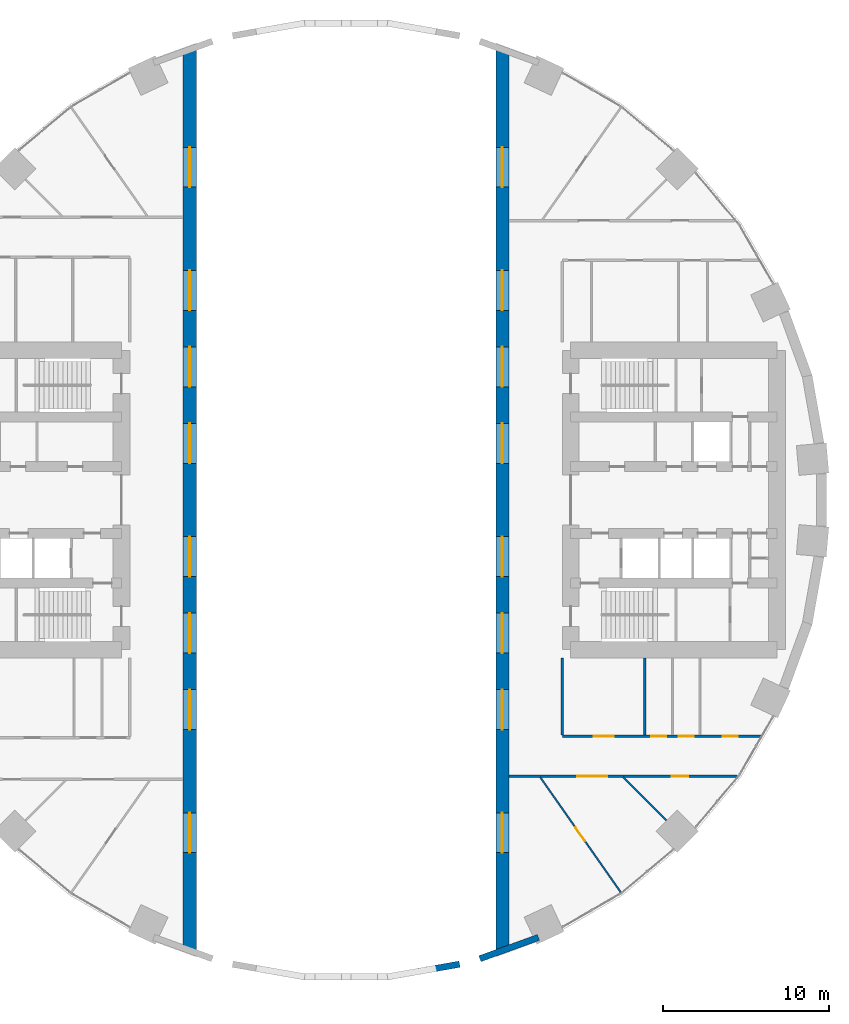
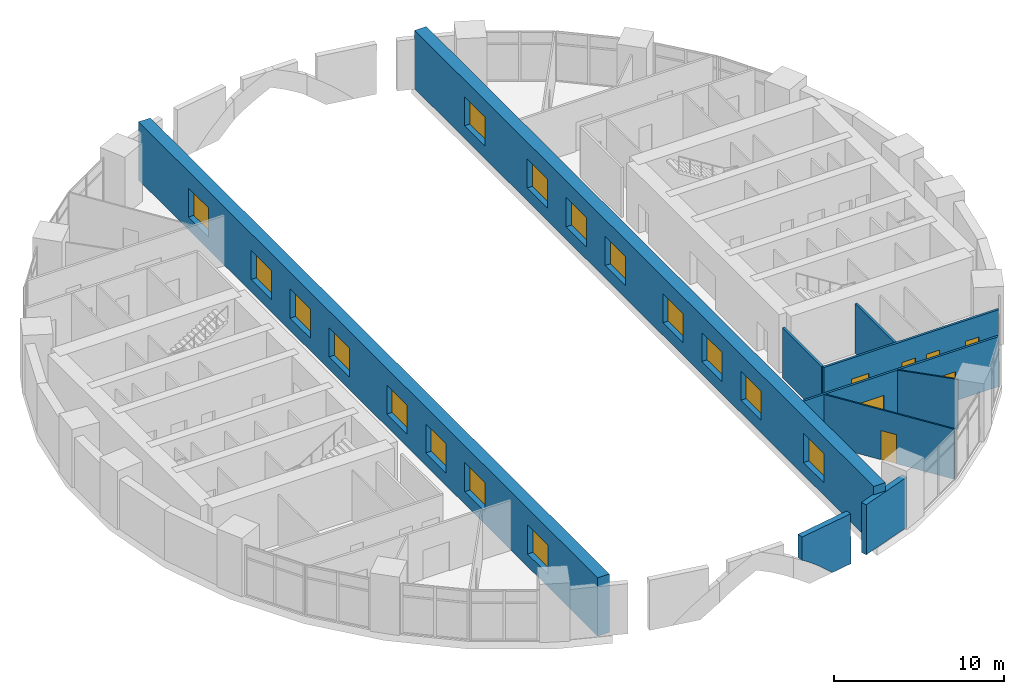
# One storey, part 11 of 15: 16 windows, 10 walls, 7 doors, 23 openings.
"""IFC4 building model written with IfcOpenShell, lengths in metres."""

from ifc_helpers import new_model, si_unit, direction, frame, frame_2d, origin, place, context, subcontext, project, spatial, polyline, rectangle, outline, extrude, material, layer, layer_set, type_object, element, fill, save


model = new_model("IFC4")

# Units and contexts
model_context = context("Model", 3, precision=1e-05, world=origin(), true_north=direction((0.0, 1.0)))
body_context = subcontext(model_context, "Body", "Model", "MODEL_VIEW")
ifc_project = project(units=[si_unit("LENGTHUNIT", "METRE"), si_unit("AREAUNIT", "SQUARE_METRE"), si_unit("VOLUMEUNIT", "CUBIC_METRE"), si_unit("PLANEANGLEUNIT", "RADIAN"), si_unit("MASSUNIT", "GRAM", prefix="KILO")], contexts=[model_context])

# Site, building, storey
site_placement = place(None, origin())
site = spatial("IfcSite", under=ifc_project, at=site_placement, CompositionType="ELEMENT")
building_placement = place(site_placement, origin())
building = spatial("IfcBuilding", under=site, at=building_placement, Name="Saqina Gate Tower", CompositionType="ELEMENT")
storey_placement = place(building_placement, frame((0.0, 0.0, 17.60009765625)))
storey = spatial("IfcBuildingStorey", under=building, at=storey_placement, Name="L04", CompositionType="ELEMENT", Elevation=17.60009765625)

# Walls
ifc_material_1 = material(Name="Glazed ceramic tile", Category="ceramic")
ifc_layer_1 = layer(ifc_material_1, 0.3798828125)
ifc_layer_set_1 = layer_set([ifc_layer_1], Name="FW-ARCH")
wall_type_1 = type_object("IfcWallType", Name="FW-ARCH", PredefinedType="SOLIDWALL", material=ifc_layer_set_1)
wall_1_placement = place(storey_placement, frame((3.1650390625, -28.734130859375, 3.599853515625), z_axis=(0.173670912749, -0.984801696632, 0.002008077513), x_axis=(0.984803682197, 0.173671262823, -4.0372e-08)))
element("IfcWall", 1, at=wall_1_placement, inside=storey, type_object=wall_type_1, Name="Arch frame wall L04 facet 28", PredefinedType="SOLIDWALL", context=body_context, shape_type="SweptSolid", body=[
    extrude(outline(polyline([(0.0, 0.0), (3.745379461620621, 0.0), (3.7453521537777634, -3.5998606846475094), (2.312697979892233, -3.5998606781283002), (2.1808456826695775, -3.4604562723167), (1.3010713377386536, -2.654058047193629), (0.36522127422020917, -1.9118692318878163), (-0.0001126746733170708, -1.6621129534081556), (0.0, 0.0)])), origin(), (0.0, 0.0, -1.0), 0.3798828125),
])
wall_2_placement = place(storey_placement, frame((8.109130859375, -27.7548828125, 0.0), z_axis=(0.342019725657, -0.939690559381, 0.002039576307), x_axis=(-0.000746014046, 0.001898944844, 0.999997918734)))
element("IfcWall", 2, at=wall_2_placement, inside=storey, type_object=wall_type_1, Name="Arch frame wall L04 facet 29", PredefinedType="SOLIDWALL", context=body_context, shape_type="SweptSolid", body=[
    extrude(outline(polyline([(0.0, 0.0), (3.5998610078947766, -1.0842021724855044e-19), (3.599667947619239, -3.745407346899316), (-0.00019306027553755208, -3.7454073468993156), (0.0, 0.0)])), origin(), (0.0, 0.0, -1.0), 0.3798828125),
])

# Wall, opening, door
ifc_material_2 = material(Name="Gypsum board on steel studs, 100 mm", Category="steel")
ifc_layer_2 = layer(ifc_material_2, 0.10009765625)
ifc_layer_set_2 = layer_set([ifc_layer_2], Name="SPECIAL PARTITION 100")
wall_type_2 = type_object("IfcWallType", Name="SPECIAL PARTITION 100", PredefinedType="PARTITIONING", material=ifc_layer_set_2)
wall_3_placement = place(storey_placement, frame((11.666015625, -16.661376953125, 0.0), z_axis=(0.0, 0.0, 1.0), x_axis=(0.573640514793, -0.819107172346, 0.0)))
wall_3 = element("IfcWall", 3, at=wall_3_placement, inside=storey, type_object=wall_type_2, Name="PARTITION 002", PredefinedType="PARTITIONING", context=body_context, shape_type="SweptSolid", body=[
    extrude(rectangle(XDim=8.4599609375, YDim=0.10009765625, at=frame_2d((4.22998046875, 0.0))), origin(), (0.0, 0.0, 1.0), 3.599853515625),
])
opening_1_placement = place(wall_3_placement, frame((3.6923828125, 0.0, 0.0)))
opening_1 = element("IfcOpeningElement", 4, at=opening_1_placement, cuts=wall_3, Name="Opening L04-D22", PredefinedType="OPENING", context=body_context, shape_type="SweptSolid", body=[
    extrude(rectangle(XDim=1.0, YDim=2.10009765625, at=frame_2d((0.5, 1.050048828125))), frame((0.0, 0.06201171875, 0.0), z_axis=(0.0, -1.0, 0.0), x_axis=(1.0, 0.0, 0.0)), (0.0, 0.0, 1.0), 0.1240234375),
])
ifc_material_3 = material(Name="Timber door leaf", Category="wood")
door_type_1 = type_object("IfcDoorType", Name="SPECIAL DOOR 1000 TIMBER", OperationType="SINGLE_SWING_LEFT", PredefinedType="DOOR", material=ifc_material_3)
door_1_placement = place(opening_1_placement, frame((1.0, 0.0, 0.0), z_axis=(0.0, 0.0, 1.0), x_axis=(-1.0, 0.0, 0.0)))
door_1 = element("IfcDoor", 5, at=door_1_placement, inside=storey, type_object=door_type_1, Name="DOOR L04-D22", OperationType="SINGLE_SWING_RIGHT", OverallHeight=2.10009765625, OverallWidth=1.0, PredefinedType="DOOR", context=body_context, shape_type="SweptSolid", body=[
    extrude(rectangle(XDim=1.0, YDim=2.10009765625, at=frame_2d((0.5, 1.050048828125))), frame((0.0, 0.02490234375, 0.0), z_axis=(0.0, -1.0, 0.0), x_axis=(1.0, 0.0, 0.0)), (0.0, 0.0, 1.0), 0.050048828125),
])
fill(opening_1, door_1)

# Wall
wall_4_placement = place(storey_placement, frame((16.653076171875, -16.653076171875, 0.0), z_axis=(0.0, 0.0, 1.0), x_axis=(0.707272213363, -0.706941310297, 0.0)))
element("IfcWall", 6, at=wall_4_placement, inside=storey, type_object=wall_type_2, Name="PARTITION 004", PredefinedType="PARTITIONING", context=body_context, shape_type="SweptSolid", body=[
    extrude(rectangle(XDim=3.68896484375, YDim=0.10009765625, at=frame_2d((1.844482421875, 0.0))), origin(), (0.0, 0.0, 1.0), 3.599853515625),
])

# Wall, openings, doors
ifc_material_4 = material(Name="Gypsum board on steel studs, 150 mm, fire rated", Category="steel")
ifc_layer_3 = layer(ifc_material_4, 0.14990234375)
ifc_layer_set_3 = layer_set([ifc_layer_3], Name="SPECIAL PARTITION EI 30 150")
wall_type_3 = type_object("IfcWallType", Name="SPECIAL PARTITION EI 30 150", PredefinedType="PARTITIONING", material=ifc_layer_set_3)
wall_5_placement = place(storey_placement, frame((9.800048828125, -16.60009765625, 0.0), z_axis=(0.0, 0.0, 1.0), x_axis=(1.0, 0.0, 0.0)))
wall_5 = element("IfcWall", 7, at=wall_5_placement, inside=storey, type_object=wall_type_3, Name="PARTITION 006", PredefinedType="PARTITIONING", context=body_context, shape_type="SweptSolid", body=[
    extrude(rectangle(XDim=13.722900390625, YDim=0.14990234375, at=frame_2d((6.861328125, 0.0))), origin(), (0.0, 0.0, 1.0), 3.599853515625),
])
opening_2_placement = place(wall_5_placement, frame((4.097900390625, 0.0, 0.0)))
opening_2 = element("IfcOpeningElement", 8, at=opening_2_placement, cuts=wall_5, Name="Opening L04-D23", PredefinedType="OPENING", context=body_context, shape_type="SweptSolid", body=[
    extrude(rectangle(XDim=1.800048828125, YDim=2.10009765625, at=frame_2d((0.89990234375, 1.050048828125))), frame((0.0, 0.0869140625, 0.0), z_axis=(0.0, -1.0, 0.0), x_axis=(1.0, 0.0, 0.0)), (0.0, 0.0, 1.0), 0.173828125),
])
opening_3_placement = place(wall_5_placement, frame((9.761474609375, 0.0, 0.0)))
opening_3 = element("IfcOpeningElement", 9, at=opening_3_placement, cuts=wall_5, Name="Opening L04-D25", PredefinedType="OPENING", context=body_context, shape_type="SweptSolid", body=[
    extrude(rectangle(XDim=1.0, YDim=2.10009765625, at=frame_2d((0.5, 1.050048828125))), frame((0.0, 0.0869140625, 0.0), z_axis=(0.0, -1.0, 0.0), x_axis=(1.0, 0.0, 0.0)), (0.0, 0.0, 1.0), 0.173828125),
])
ifc_material_5 = material(Name="Steel-framed fire door leaf, EI 30", Category="steel")
door_type_2 = type_object("IfcDoorType", Name="SPECIAL DOOR 1000 FIRE EI 30", OperationType="SINGLE_SWING_LEFT", PredefinedType="DOOR", material=ifc_material_5)
door_2_placement = place(opening_3_placement, frame((1.0, 0.0, 0.0), z_axis=(0.0, 0.0, 1.0), x_axis=(-1.0, 0.0, 0.0)))
door_2 = element("IfcDoor", 10, at=door_2_placement, inside=storey, type_object=door_type_2, Name="DOOR L04-D25", OperationType="SINGLE_SWING_LEFT", OverallHeight=2.10009765625, OverallWidth=1.0, PredefinedType="DOOR", context=body_context, shape_type="SweptSolid", body=[
    extrude(rectangle(XDim=1.0, YDim=2.10009765625, at=frame_2d((0.5, 1.050048828125))), frame((0.0, 0.02490234375, 0.0), z_axis=(0.0, -1.0, 0.0), x_axis=(1.0, 0.0, 0.0)), (0.0, 0.0, 1.0), 0.050048828125),
])
fill(opening_3, door_2)
ifc_material_6 = material(Name="Steel-framed fire door leaf, EI 30", Category="steel")
door_type_3 = type_object("IfcDoorType", Name="SPECIAL DOUBLE DOOR 1800 FIRE EI 30", OperationType="DOUBLE_DOOR_SINGLE_SWING", PredefinedType="DOOR", material=ifc_material_6)
door_3_placement = place(opening_2_placement, frame((1.800048828125, 0.0, 0.0), z_axis=(0.0, 0.0, 1.0), x_axis=(-1.0, 0.0, 0.0)))
door_3 = element("IfcDoor", 11, at=door_3_placement, inside=storey, type_object=door_type_3, Name="DOOR L04-D23", OperationType="DOUBLE_DOOR_SINGLE_SWING", OverallHeight=2.10009765625, OverallWidth=1.800048828125, PredefinedType="DOOR", context=body_context, shape_type="SweptSolid", body=[
    extrude(rectangle(XDim=1.800048828125, YDim=2.10009765625, at=frame_2d((0.89990234375, 1.050048828125))), frame((0.0, 0.02490234375, 0.0), z_axis=(0.0, -1.0, 0.0), x_axis=(1.0, 0.0, 0.0)), (0.0, 0.0, 1.0), 0.050048828125),
])
fill(opening_2, door_3)

ifc_material_7 = material(Name="Masonry block and plaster, 150 mm, fire rated", Category="masonry")
ifc_layer_4 = layer(ifc_material_7, 0.14990234375)
ifc_layer_set_4 = layer_set([ifc_layer_4], Name="SPECIAL PARTITION EI 60 150")
wall_type_4 = type_object("IfcWallType", Name="SPECIAL PARTITION EI 60 150", PredefinedType="PARTITIONING", material=ifc_layer_set_4)
wall_6_placement = place(storey_placement, frame((13.0, -14.199951171875, 0.0), z_axis=(0.0, 0.0, 1.0), x_axis=(1.0, 0.0, 0.0)))
wall_6 = element("IfcWall", 12, at=wall_6_placement, inside=storey, type_object=wall_type_4, Name="PARTITION 008", PredefinedType="PARTITIONING", context=body_context, shape_type="SweptSolid", body=[
    extrude(rectangle(XDim=11.928955078125, YDim=0.14990234375, at=frame_2d((5.96435546875, 0.0))), origin(), (0.0, 0.0, 1.0), 3.599853515625),
])
opening_4_placement = place(wall_6_placement, frame((1.87939453125, 0.0, 0.0)))
opening_4 = element("IfcOpeningElement", 13, at=opening_4_placement, cuts=wall_6, Name="Opening L04-D24", PredefinedType="OPENING", context=body_context, shape_type="SweptSolid", body=[
    extrude(rectangle(XDim=1.199951171875, YDim=2.10009765625, at=frame_2d((0.60009765625, 1.050048828125))), frame((0.0, 0.0869140625, 0.0), z_axis=(0.0, -1.0, 0.0), x_axis=(1.0, 0.0, 0.0)), (0.0, 0.0, 1.0), 0.173828125),
])
opening_5_placement = place(wall_6_placement, frame((5.3349609375, 0.0, 0.0)))
opening_5 = element("IfcOpeningElement", 14, at=opening_5_placement, cuts=wall_6, Name="Opening L04-D26", PredefinedType="OPENING", context=body_context, shape_type="SweptSolid", body=[
    extrude(rectangle(XDim=0.89990234375, YDim=2.10009765625, at=frame_2d((0.449951171875, 1.050048828125))), frame((0.0, 0.0869140625, 0.0), z_axis=(0.0, -1.0, 0.0), x_axis=(1.0, 0.0, 0.0)), (0.0, 0.0, 1.0), 0.173828125),
])
opening_6_placement = place(wall_6_placement, frame((6.987548828125, 0.0, 0.0)))
opening_6 = element("IfcOpeningElement", 15, at=opening_6_placement, cuts=wall_6, Name="Opening L04-D27", PredefinedType="OPENING", context=body_context, shape_type="SweptSolid", body=[
    extrude(rectangle(XDim=0.89990234375, YDim=2.10009765625, at=frame_2d((0.449951171875, 1.050048828125))), frame((0.0, 0.0869140625, 0.0), z_axis=(0.0, -1.0, 0.0), x_axis=(1.0, 0.0, 0.0)), (0.0, 0.0, 1.0), 0.173828125),
])
opening_7_placement = place(wall_6_placement, frame((9.646484375, 0.0, 0.0)))
opening_7 = element("IfcOpeningElement", 16, at=opening_7_placement, cuts=wall_6, Name="Opening L04-D28", PredefinedType="OPENING", context=body_context, shape_type="SweptSolid", body=[
    extrude(rectangle(XDim=0.89990234375, YDim=2.10009765625, at=frame_2d((0.449951171875, 1.050048828125))), frame((0.0, 0.0869140625, 0.0), z_axis=(0.0, -1.0, 0.0), x_axis=(1.0, 0.0, 0.0)), (0.0, 0.0, 1.0), 0.173828125),
])
ifc_material_8 = material(Name="Steel-framed fire door leaf, EI 60", Category="steel")
door_type_4 = type_object("IfcDoorType", Name="SPECIAL DOOR 1200 FIRE EI 60", OperationType="SINGLE_SWING_LEFT", PredefinedType="DOOR", material=ifc_material_8)
door_4_placement = place(opening_4_placement, origin())
door_4 = element("IfcDoor", 17, at=door_4_placement, inside=storey, type_object=door_type_4, Name="DOOR L04-D24", OperationType="SINGLE_SWING_LEFT", OverallHeight=2.10009765625, OverallWidth=1.199951171875, PredefinedType="DOOR", context=body_context, shape_type="SweptSolid", body=[
    extrude(rectangle(XDim=1.199951171875, YDim=2.10009765625, at=frame_2d((0.60009765625, 1.050048828125))), frame((0.0, 0.02490234375, 0.0), z_axis=(0.0, -1.0, 0.0), x_axis=(1.0, 0.0, 0.0)), (0.0, 0.0, 1.0), 0.050048828125),
])
fill(opening_4, door_4)
ifc_material_9 = material(Name="Steel-framed fire door leaf, EI 60", Category="steel")
door_type_5 = type_object("IfcDoorType", Name="SPECIAL DOOR 900 FIRE EI 60", OperationType="SINGLE_SWING_LEFT", PredefinedType="DOOR", material=ifc_material_9)
door_5_placement = place(opening_5_placement, origin())
door_5 = element("IfcDoor", 18, at=door_5_placement, inside=storey, type_object=door_type_5, Name="DOOR L04-D26", OperationType="SINGLE_SWING_LEFT", OverallHeight=2.10009765625, OverallWidth=0.89990234375, PredefinedType="DOOR", context=body_context, shape_type="SweptSolid", body=[
    extrude(rectangle(XDim=0.89990234375, YDim=2.10009765625, at=frame_2d((0.449951171875, 1.050048828125))), frame((0.0, 0.02490234375, 0.0), z_axis=(0.0, -1.0, 0.0), x_axis=(1.0, 0.0, 0.0)), (0.0, 0.0, 1.0), 0.050048828125),
])
fill(opening_5, door_5)
door_6_placement = place(opening_6_placement, origin())
door_6 = element("IfcDoor", 19, at=door_6_placement, inside=storey, type_object=door_type_5, Name="DOOR L04-D27", OperationType="SINGLE_SWING_RIGHT", OverallHeight=2.10009765625, OverallWidth=0.89990234375, PredefinedType="DOOR", context=body_context, shape_type="SweptSolid", body=[
    extrude(rectangle(XDim=0.89990234375, YDim=2.10009765625, at=frame_2d((0.449951171875, 1.050048828125))), frame((0.0, 0.02490234375, 0.0), z_axis=(0.0, -1.0, 0.0), x_axis=(1.0, 0.0, 0.0)), (0.0, 0.0, 1.0), 0.050048828125),
])
fill(opening_6, door_6)
door_7_placement = place(opening_7_placement, origin())
door_7 = element("IfcDoor", 20, at=door_7_placement, inside=storey, type_object=door_type_5, Name="DOOR L04-D28", OperationType="SINGLE_SWING_RIGHT", OverallHeight=2.10009765625, OverallWidth=0.89990234375, PredefinedType="DOOR", context=body_context, shape_type="SweptSolid", body=[
    extrude(rectangle(XDim=0.89990234375, YDim=2.10009765625, at=frame_2d((0.449951171875, 1.050048828125))), frame((0.0, 0.02490234375, 0.0), z_axis=(0.0, -1.0, 0.0), x_axis=(1.0, 0.0, 0.0)), (0.0, 0.0, 1.0), 0.050048828125),
])
fill(opening_7, door_7)

# Walls
for number, where, z_axis, x_axis, name in (
    (21, (17.958984375, -14.125, 0.0), (0.0, 0.0, 1.0), (0.0, 1.0, 0.0), "PARTITION 021"),
    (22, (13.0, -14.125, 0.0), (0.0, 0.0, 1.0), (0.0, 1.0, 0.0), "PARTITION 023"),
):
    element("IfcWall", number, at=place(storey_placement, frame(where, z_axis=z_axis, x_axis=x_axis)), inside=storey, type_object=wall_type_4, Name=name, PredefinedType="PARTITIONING", context=body_context, shape_type="SweptSolid", body=[
        extrude(rectangle(XDim=4.625, YDim=0.14990234375, at=frame_2d((2.3125, 0.0))), origin(), (0.0, 0.0, 1.0), 3.599853515625),
    ])

# Wall, openings, windows
ifc_material_10 = material(Name="Concrete C70/85", Category="concrete")
ifc_layer_5 = layer(ifc_material_10, 0.800048828125)
ifc_layer_set_5 = layer_set([ifc_layer_5], Name="Concrete C70/85")
wall_type_5 = type_object("IfcWallType", Name="STR-PIER-PASSAGE", PredefinedType="SHEAR", material=ifc_layer_set_5)
wall_7_placement = place(storey_placement, frame((9.39990234375, -27.076904296875, 0.0), z_axis=(0.0, 0.0, 1.0), x_axis=(0.0, 1.0, 0.0)))
wall_7 = element("IfcWall", 23, at=wall_7_placement, inside=storey, type_object=wall_type_5, Name="L04-FLKE", PredefinedType="SHEAR", context=body_context, shape_type="SweptSolid", body=[
    extrude(rectangle(XDim=54.15380859375, YDim=0.800048828125, at=frame_2d((27.076904296875, 0.0))), origin(), (0.0, 0.0, 1.0), 4.199951171875),
])
opening_8_placement = place(wall_7_placement, frame((13.27685546875, 0.0, 0.89990234375)))
opening_8 = element("IfcOpeningElement", 24, at=opening_8_placement, cuts=wall_7, Name="Opening L04-W50", PredefinedType="OPENING", context=body_context, shape_type="SweptSolid", body=[
    extrude(rectangle(XDim=2.39990234375, YDim=2.10009765625, at=frame_2d((1.199951171875, 1.050048828125))), frame((0.0, 0.412109375, 0.0), z_axis=(0.0, -1.0, 0.0), x_axis=(1.0, 0.0, 0.0)), (0.0, 0.0, 1.0), 0.823974609375),
])
opening_9_placement = place(wall_7_placement, frame((17.876708984375, 0.0, 0.89990234375)))
opening_9 = element("IfcOpeningElement", 25, at=opening_9_placement, cuts=wall_7, Name="Opening L04-W51", PredefinedType="OPENING", context=body_context, shape_type="SweptSolid", body=[
    extrude(rectangle(XDim=2.39990234375, YDim=2.10009765625, at=frame_2d((1.199951171875, 1.050048828125))), frame((0.0, 0.412109375, 0.0), z_axis=(0.0, -1.0, 0.0), x_axis=(1.0, 0.0, 0.0)), (0.0, 0.0, 1.0), 0.823974609375),
])
opening_10_placement = place(wall_7_placement, frame((22.476806640625, 0.0, 0.89990234375)))
opening_10 = element("IfcOpeningElement", 26, at=opening_10_placement, cuts=wall_7, Name="Opening L04-W52", PredefinedType="OPENING", context=body_context, shape_type="SweptSolid", body=[
    extrude(rectangle(XDim=2.39990234375, YDim=2.10009765625, at=frame_2d((1.199951171875, 1.050048828125))), frame((0.0, 0.412109375, 0.0), z_axis=(0.0, -1.0, 0.0), x_axis=(1.0, 0.0, 0.0)), (0.0, 0.0, 1.0), 0.823974609375),
])
opening_11_placement = place(wall_7_placement, frame((29.27685546875, 0.0, 0.89990234375)))
opening_11 = element("IfcOpeningElement", 27, at=opening_11_placement, cuts=wall_7, Name="Opening L04-W53", PredefinedType="OPENING", context=body_context, shape_type="SweptSolid", body=[
    extrude(rectangle(XDim=2.39990234375, YDim=2.10009765625, at=frame_2d((1.199951171875, 1.050048828125))), frame((0.0, 0.412109375, 0.0), z_axis=(0.0, -1.0, 0.0), x_axis=(1.0, 0.0, 0.0)), (0.0, 0.0, 1.0), 0.823974609375),
])
opening_12_placement = place(wall_7_placement, frame((33.876708984375, 0.0, 0.89990234375)))
opening_12 = element("IfcOpeningElement", 28, at=opening_12_placement, cuts=wall_7, Name="Opening L04-W54", PredefinedType="OPENING", context=body_context, shape_type="SweptSolid", body=[
    extrude(rectangle(XDim=2.39990234375, YDim=2.10009765625, at=frame_2d((1.199951171875, 1.050048828125))), frame((0.0, 0.412109375, 0.0), z_axis=(0.0, -1.0, 0.0), x_axis=(1.0, 0.0, 0.0)), (0.0, 0.0, 1.0), 0.823974609375),
])
opening_13_placement = place(wall_7_placement, frame((38.476806640625, 0.0, 0.89990234375)))
opening_13 = element("IfcOpeningElement", 29, at=opening_13_placement, cuts=wall_7, Name="Opening L04-W55", PredefinedType="OPENING", context=body_context, shape_type="SweptSolid", body=[
    extrude(rectangle(XDim=2.39990234375, YDim=2.10009765625, at=frame_2d((1.199951171875, 1.050048828125))), frame((0.0, 0.412109375, 0.0), z_axis=(0.0, -1.0, 0.0), x_axis=(1.0, 0.0, 0.0)), (0.0, 0.0, 1.0), 0.823974609375),
])
opening_14_placement = place(wall_7_placement, frame((5.876708984375, 0.0, 0.89990234375)))
opening_14 = element("IfcOpeningElement", 30, at=opening_14_placement, cuts=wall_7, Name="Opening L04-W56", PredefinedType="OPENING", context=body_context, shape_type="SweptSolid", body=[
    extrude(rectangle(XDim=2.39990234375, YDim=2.10009765625, at=frame_2d((1.199951171875, 1.050048828125))), frame((0.0, 0.412109375, 0.0), z_axis=(0.0, -1.0, 0.0), x_axis=(1.0, 0.0, 0.0)), (0.0, 0.0, 1.0), 0.823974609375),
])
opening_15_placement = place(wall_7_placement, frame((45.876708984375, 0.0, 0.89990234375)))
opening_15 = element("IfcOpeningElement", 31, at=opening_15_placement, cuts=wall_7, Name="Opening L04-W57", PredefinedType="OPENING", context=body_context, shape_type="SweptSolid", body=[
    extrude(rectangle(XDim=2.39990234375, YDim=2.10009765625, at=frame_2d((1.199951171875, 1.050048828125))), frame((0.0, 0.412109375, 0.0), z_axis=(0.0, -1.0, 0.0), x_axis=(1.0, 0.0, 0.0)), (0.0, 0.0, 1.0), 0.823974609375),
])
ifc_material_11 = material(Name="Double glazed unit in aluminium frame", Category="aluminium")
window_type = type_object("IfcWindowType", Name="AMENITY WINDOW 2400", PartitioningType="SINGLE_PANEL", PredefinedType="WINDOW", material=ifc_material_11)
window_1_placement = place(opening_8_placement, origin())
window_1 = element("IfcWindow", 32, at=window_1_placement, inside=storey, type_object=window_type, Name="Amenity window", OverallHeight=2.10009765625, OverallWidth=2.39990234375, PartitioningType="SINGLE_PANEL", PredefinedType="WINDOW", context=body_context, shape_type="SweptSolid", body=[
    extrude(rectangle(XDim=2.39990234375, YDim=2.10009765625, at=frame_2d((1.199951171875, 1.050048828125))), frame((0.0, 0.030029296875, 0.0), z_axis=(0.0, -1.0, 0.0), x_axis=(1.0, 0.0, 0.0)), (0.0, 0.0, 1.0), 0.06005859375),
])
fill(opening_8, window_1)
window_2_placement = place(opening_9_placement, origin())
window_2 = element("IfcWindow", 33, at=window_2_placement, inside=storey, type_object=window_type, Name="Amenity window", OverallHeight=2.10009765625, OverallWidth=2.39990234375, PartitioningType="SINGLE_PANEL", PredefinedType="WINDOW", context=body_context, shape_type="SweptSolid", body=[
    extrude(rectangle(XDim=2.39990234375, YDim=2.10009765625, at=frame_2d((1.199951171875, 1.050048828125))), frame((0.0, 0.030029296875, 0.0), z_axis=(0.0, -1.0, 0.0), x_axis=(1.0, 0.0, 0.0)), (0.0, 0.0, 1.0), 0.06005859375),
])
fill(opening_9, window_2)
window_3_placement = place(opening_10_placement, origin())
window_3 = element("IfcWindow", 34, at=window_3_placement, inside=storey, type_object=window_type, Name="Amenity window", OverallHeight=2.10009765625, OverallWidth=2.39990234375, PartitioningType="SINGLE_PANEL", PredefinedType="WINDOW", context=body_context, shape_type="SweptSolid", body=[
    extrude(rectangle(XDim=2.39990234375, YDim=2.10009765625, at=frame_2d((1.199951171875, 1.050048828125))), frame((0.0, 0.030029296875, 0.0), z_axis=(0.0, -1.0, 0.0), x_axis=(1.0, 0.0, 0.0)), (0.0, 0.0, 1.0), 0.06005859375),
])
fill(opening_10, window_3)
window_4_placement = place(opening_11_placement, origin())
window_4 = element("IfcWindow", 35, at=window_4_placement, inside=storey, type_object=window_type, Name="Amenity window", OverallHeight=2.10009765625, OverallWidth=2.39990234375, PartitioningType="SINGLE_PANEL", PredefinedType="WINDOW", context=body_context, shape_type="SweptSolid", body=[
    extrude(rectangle(XDim=2.39990234375, YDim=2.10009765625, at=frame_2d((1.199951171875, 1.050048828125))), frame((0.0, 0.030029296875, 0.0), z_axis=(0.0, -1.0, 0.0), x_axis=(1.0, 0.0, 0.0)), (0.0, 0.0, 1.0), 0.06005859375),
])
fill(opening_11, window_4)
window_5_placement = place(opening_12_placement, origin())
window_5 = element("IfcWindow", 36, at=window_5_placement, inside=storey, type_object=window_type, Name="Amenity window", OverallHeight=2.10009765625, OverallWidth=2.39990234375, PartitioningType="SINGLE_PANEL", PredefinedType="WINDOW", context=body_context, shape_type="SweptSolid", body=[
    extrude(rectangle(XDim=2.39990234375, YDim=2.10009765625, at=frame_2d((1.199951171875, 1.050048828125))), frame((0.0, 0.030029296875, 0.0), z_axis=(0.0, -1.0, 0.0), x_axis=(1.0, 0.0, 0.0)), (0.0, 0.0, 1.0), 0.06005859375),
])
fill(opening_12, window_5)
window_6_placement = place(opening_13_placement, origin())
window_6 = element("IfcWindow", 37, at=window_6_placement, inside=storey, type_object=window_type, Name="Amenity window", OverallHeight=2.10009765625, OverallWidth=2.39990234375, PartitioningType="SINGLE_PANEL", PredefinedType="WINDOW", context=body_context, shape_type="SweptSolid", body=[
    extrude(rectangle(XDim=2.39990234375, YDim=2.10009765625, at=frame_2d((1.199951171875, 1.050048828125))), frame((0.0, 0.030029296875, 0.0), z_axis=(0.0, -1.0, 0.0), x_axis=(1.0, 0.0, 0.0)), (0.0, 0.0, 1.0), 0.06005859375),
])
fill(opening_13, window_6)
window_7_placement = place(opening_14_placement, origin())
window_7 = element("IfcWindow", 38, at=window_7_placement, inside=storey, type_object=window_type, Name="Amenity window", OverallHeight=2.10009765625, OverallWidth=2.39990234375, PartitioningType="SINGLE_PANEL", PredefinedType="WINDOW", context=body_context, shape_type="SweptSolid", body=[
    extrude(rectangle(XDim=2.39990234375, YDim=2.10009765625, at=frame_2d((1.199951171875, 1.050048828125))), frame((0.0, 0.030029296875, 0.0), z_axis=(0.0, -1.0, 0.0), x_axis=(1.0, 0.0, 0.0)), (0.0, 0.0, 1.0), 0.06005859375),
])
fill(opening_14, window_7)
window_8_placement = place(opening_15_placement, origin())
window_8 = element("IfcWindow", 39, at=window_8_placement, inside=storey, type_object=window_type, Name="Amenity window", OverallHeight=2.10009765625, OverallWidth=2.39990234375, PartitioningType="SINGLE_PANEL", PredefinedType="WINDOW", context=body_context, shape_type="SweptSolid", body=[
    extrude(rectangle(XDim=2.39990234375, YDim=2.10009765625, at=frame_2d((1.199951171875, 1.050048828125))), frame((0.0, 0.030029296875, 0.0), z_axis=(0.0, -1.0, 0.0), x_axis=(1.0, 0.0, 0.0)), (0.0, 0.0, 1.0), 0.06005859375),
])
fill(opening_15, window_8)

wall_8_placement = place(storey_placement, frame((-9.39990234375, -27.076904296875, 0.0), z_axis=(0.0, 0.0, 1.0), x_axis=(0.0, 1.0, 0.0)))
wall_8 = element("IfcWall", 40, at=wall_8_placement, inside=storey, type_object=wall_type_5, Name="L04-FLKW", PredefinedType="SHEAR", context=body_context, shape_type="SweptSolid", body=[
    extrude(rectangle(XDim=54.15380859375, YDim=0.800048828125, at=frame_2d((27.076904296875, 0.0))), origin(), (0.0, 0.0, 1.0), 4.199951171875),
])
opening_16_placement = place(wall_8_placement, frame((13.27685546875, 0.0, 0.89990234375)))
opening_16 = element("IfcOpeningElement", 41, at=opening_16_placement, cuts=wall_8, Name="Opening L04-W58", PredefinedType="OPENING", context=body_context, shape_type="SweptSolid", body=[
    extrude(rectangle(XDim=2.39990234375, YDim=2.10009765625, at=frame_2d((1.199951171875, 1.050048828125))), frame((0.0, 0.412109375, 0.0), z_axis=(0.0, -1.0, 0.0), x_axis=(1.0, 0.0, 0.0)), (0.0, 0.0, 1.0), 0.823974609375),
])
opening_17_placement = place(wall_8_placement, frame((17.876708984375, 0.0, 0.89990234375)))
opening_17 = element("IfcOpeningElement", 42, at=opening_17_placement, cuts=wall_8, Name="Opening L04-W59", PredefinedType="OPENING", context=body_context, shape_type="SweptSolid", body=[
    extrude(rectangle(XDim=2.39990234375, YDim=2.10009765625, at=frame_2d((1.199951171875, 1.050048828125))), frame((0.0, 0.412109375, 0.0), z_axis=(0.0, -1.0, 0.0), x_axis=(1.0, 0.0, 0.0)), (0.0, 0.0, 1.0), 0.823974609375),
])
opening_18_placement = place(wall_8_placement, frame((22.476806640625, 0.0, 0.89990234375)))
opening_18 = element("IfcOpeningElement", 43, at=opening_18_placement, cuts=wall_8, Name="Opening L04-W60", PredefinedType="OPENING", context=body_context, shape_type="SweptSolid", body=[
    extrude(rectangle(XDim=2.39990234375, YDim=2.10009765625, at=frame_2d((1.199951171875, 1.050048828125))), frame((0.0, 0.412109375, 0.0), z_axis=(0.0, -1.0, 0.0), x_axis=(1.0, 0.0, 0.0)), (0.0, 0.0, 1.0), 0.823974609375),
])
opening_19_placement = place(wall_8_placement, frame((29.27685546875, 0.0, 0.89990234375)))
opening_19 = element("IfcOpeningElement", 44, at=opening_19_placement, cuts=wall_8, Name="Opening L04-W61", PredefinedType="OPENING", context=body_context, shape_type="SweptSolid", body=[
    extrude(rectangle(XDim=2.39990234375, YDim=2.10009765625, at=frame_2d((1.199951171875, 1.050048828125))), frame((0.0, 0.412109375, 0.0), z_axis=(0.0, -1.0, 0.0), x_axis=(1.0, 0.0, 0.0)), (0.0, 0.0, 1.0), 0.823974609375),
])
opening_20_placement = place(wall_8_placement, frame((33.876708984375, 0.0, 0.89990234375)))
opening_20 = element("IfcOpeningElement", 45, at=opening_20_placement, cuts=wall_8, Name="Opening L04-W62", PredefinedType="OPENING", context=body_context, shape_type="SweptSolid", body=[
    extrude(rectangle(XDim=2.39990234375, YDim=2.10009765625, at=frame_2d((1.199951171875, 1.050048828125))), frame((0.0, 0.412109375, 0.0), z_axis=(0.0, -1.0, 0.0), x_axis=(1.0, 0.0, 0.0)), (0.0, 0.0, 1.0), 0.823974609375),
])
opening_21_placement = place(wall_8_placement, frame((38.476806640625, 0.0, 0.89990234375)))
opening_21 = element("IfcOpeningElement", 46, at=opening_21_placement, cuts=wall_8, Name="Opening L04-W63", PredefinedType="OPENING", context=body_context, shape_type="SweptSolid", body=[
    extrude(rectangle(XDim=2.39990234375, YDim=2.10009765625, at=frame_2d((1.199951171875, 1.050048828125))), frame((0.0, 0.412109375, 0.0), z_axis=(0.0, -1.0, 0.0), x_axis=(1.0, 0.0, 0.0)), (0.0, 0.0, 1.0), 0.823974609375),
])
opening_22_placement = place(wall_8_placement, frame((5.876708984375, 0.0, 0.89990234375)))
opening_22 = element("IfcOpeningElement", 47, at=opening_22_placement, cuts=wall_8, Name="Opening L04-W64", PredefinedType="OPENING", context=body_context, shape_type="SweptSolid", body=[
    extrude(rectangle(XDim=2.39990234375, YDim=2.10009765625, at=frame_2d((1.199951171875, 1.050048828125))), frame((0.0, 0.412109375, 0.0), z_axis=(0.0, -1.0, 0.0), x_axis=(1.0, 0.0, 0.0)), (0.0, 0.0, 1.0), 0.823974609375),
])
opening_23_placement = place(wall_8_placement, frame((45.876708984375, 0.0, 0.89990234375)))
opening_23 = element("IfcOpeningElement", 48, at=opening_23_placement, cuts=wall_8, Name="Opening L04-W65", PredefinedType="OPENING", context=body_context, shape_type="SweptSolid", body=[
    extrude(rectangle(XDim=2.39990234375, YDim=2.10009765625, at=frame_2d((1.199951171875, 1.050048828125))), frame((0.0, 0.412109375, 0.0), z_axis=(0.0, -1.0, 0.0), x_axis=(1.0, 0.0, 0.0)), (0.0, 0.0, 1.0), 0.823974609375),
])
window_9_placement = place(opening_16_placement, origin())
window_9 = element("IfcWindow", 49, at=window_9_placement, inside=storey, type_object=window_type, Name="Amenity window", OverallHeight=2.10009765625, OverallWidth=2.39990234375, PartitioningType="SINGLE_PANEL", PredefinedType="WINDOW", context=body_context, shape_type="SweptSolid", body=[
    extrude(rectangle(XDim=2.39990234375, YDim=2.10009765625, at=frame_2d((1.199951171875, 1.050048828125))), frame((0.0, 0.030029296875, 0.0), z_axis=(0.0, -1.0, 0.0), x_axis=(1.0, 0.0, 0.0)), (0.0, 0.0, 1.0), 0.06005859375),
])
fill(opening_16, window_9)
window_10_placement = place(opening_17_placement, origin())
window_10 = element("IfcWindow", 50, at=window_10_placement, inside=storey, type_object=window_type, Name="Amenity window", OverallHeight=2.10009765625, OverallWidth=2.39990234375, PartitioningType="SINGLE_PANEL", PredefinedType="WINDOW", context=body_context, shape_type="SweptSolid", body=[
    extrude(rectangle(XDim=2.39990234375, YDim=2.10009765625, at=frame_2d((1.199951171875, 1.050048828125))), frame((0.0, 0.030029296875, 0.0), z_axis=(0.0, -1.0, 0.0), x_axis=(1.0, 0.0, 0.0)), (0.0, 0.0, 1.0), 0.06005859375),
])
fill(opening_17, window_10)
window_11_placement = place(opening_18_placement, origin())
window_11 = element("IfcWindow", 51, at=window_11_placement, inside=storey, type_object=window_type, Name="Amenity window", OverallHeight=2.10009765625, OverallWidth=2.39990234375, PartitioningType="SINGLE_PANEL", PredefinedType="WINDOW", context=body_context, shape_type="SweptSolid", body=[
    extrude(rectangle(XDim=2.39990234375, YDim=2.10009765625, at=frame_2d((1.199951171875, 1.050048828125))), frame((0.0, 0.030029296875, 0.0), z_axis=(0.0, -1.0, 0.0), x_axis=(1.0, 0.0, 0.0)), (0.0, 0.0, 1.0), 0.06005859375),
])
fill(opening_18, window_11)
window_12_placement = place(opening_19_placement, origin())
window_12 = element("IfcWindow", 52, at=window_12_placement, inside=storey, type_object=window_type, Name="Amenity window", OverallHeight=2.10009765625, OverallWidth=2.39990234375, PartitioningType="SINGLE_PANEL", PredefinedType="WINDOW", context=body_context, shape_type="SweptSolid", body=[
    extrude(rectangle(XDim=2.39990234375, YDim=2.10009765625, at=frame_2d((1.199951171875, 1.050048828125))), frame((0.0, 0.030029296875, 0.0), z_axis=(0.0, -1.0, 0.0), x_axis=(1.0, 0.0, 0.0)), (0.0, 0.0, 1.0), 0.06005859375),
])
fill(opening_19, window_12)
window_13_placement = place(opening_20_placement, origin())
window_13 = element("IfcWindow", 53, at=window_13_placement, inside=storey, type_object=window_type, Name="Amenity window", OverallHeight=2.10009765625, OverallWidth=2.39990234375, PartitioningType="SINGLE_PANEL", PredefinedType="WINDOW", context=body_context, shape_type="SweptSolid", body=[
    extrude(rectangle(XDim=2.39990234375, YDim=2.10009765625, at=frame_2d((1.199951171875, 1.050048828125))), frame((0.0, 0.030029296875, 0.0), z_axis=(0.0, -1.0, 0.0), x_axis=(1.0, 0.0, 0.0)), (0.0, 0.0, 1.0), 0.06005859375),
])
fill(opening_20, window_13)
window_14_placement = place(opening_21_placement, origin())
window_14 = element("IfcWindow", 54, at=window_14_placement, inside=storey, type_object=window_type, Name="Amenity window", OverallHeight=2.10009765625, OverallWidth=2.39990234375, PartitioningType="SINGLE_PANEL", PredefinedType="WINDOW", context=body_context, shape_type="SweptSolid", body=[
    extrude(rectangle(XDim=2.39990234375, YDim=2.10009765625, at=frame_2d((1.199951171875, 1.050048828125))), frame((0.0, 0.030029296875, 0.0), z_axis=(0.0, -1.0, 0.0), x_axis=(1.0, 0.0, 0.0)), (0.0, 0.0, 1.0), 0.06005859375),
])
fill(opening_21, window_14)
window_15_placement = place(opening_22_placement, origin())
window_15 = element("IfcWindow", 55, at=window_15_placement, inside=storey, type_object=window_type, Name="Amenity window", OverallHeight=2.10009765625, OverallWidth=2.39990234375, PartitioningType="SINGLE_PANEL", PredefinedType="WINDOW", context=body_context, shape_type="SweptSolid", body=[
    extrude(rectangle(XDim=2.39990234375, YDim=2.10009765625, at=frame_2d((1.199951171875, 1.050048828125))), frame((0.0, 0.030029296875, 0.0), z_axis=(0.0, -1.0, 0.0), x_axis=(1.0, 0.0, 0.0)), (0.0, 0.0, 1.0), 0.06005859375),
])
fill(opening_22, window_15)
window_16_placement = place(opening_23_placement, origin())
window_16 = element("IfcWindow", 56, at=window_16_placement, inside=storey, type_object=window_type, Name="Amenity window", OverallHeight=2.10009765625, OverallWidth=2.39990234375, PartitioningType="SINGLE_PANEL", PredefinedType="WINDOW", context=body_context, shape_type="SweptSolid", body=[
    extrude(rectangle(XDim=2.39990234375, YDim=2.10009765625, at=frame_2d((1.199951171875, 1.050048828125))), frame((0.0, 0.030029296875, 0.0), z_axis=(0.0, -1.0, 0.0), x_axis=(1.0, 0.0, 0.0)), (0.0, 0.0, 1.0), 0.06005859375),
])
fill(opening_23, window_16)

save(model, "model.ifc")
